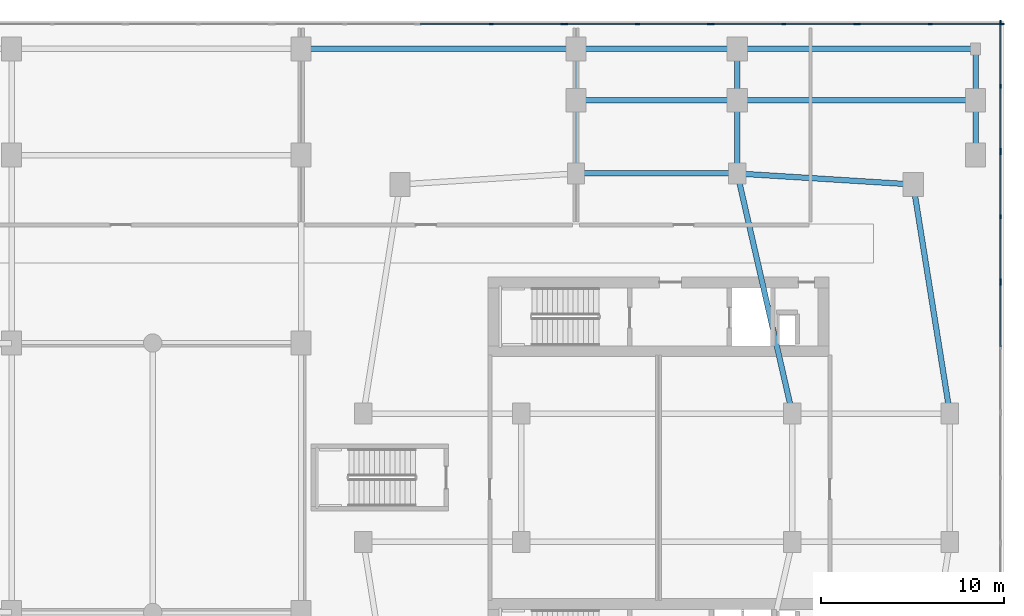
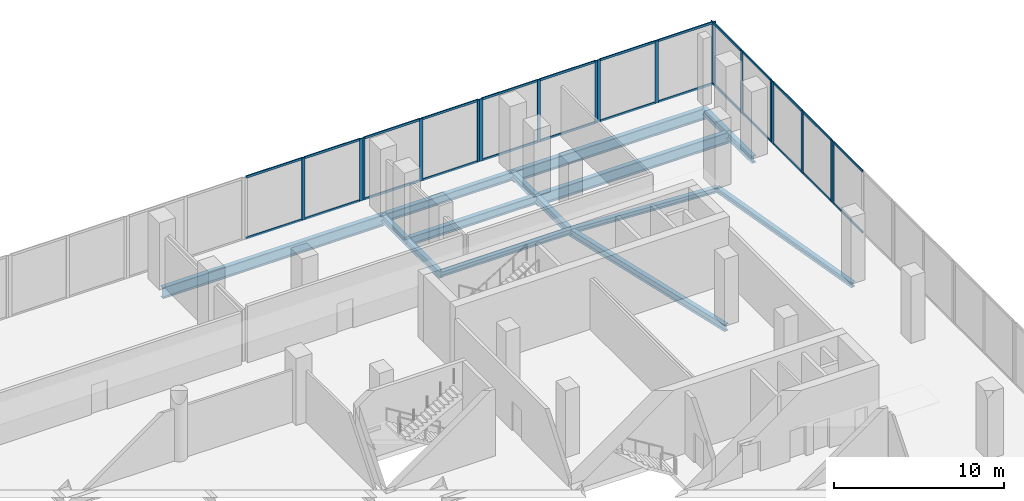
# One storey, part 10 of 23: 44 members, 15 beams, 7 elements without a shape of their own.
"""IFC4 building model written with IfcOpenShell, lengths in metres."""

from ifc_helpers import new_model, si_unit, derived_unit, direction, frame, origin, origin_2d, place, context, subcontext, project, spatial, rectangle, i_section, extrude, material, layer, layer_set, material_profile, profile_set, type_object, element, aggregate, save


model = new_model("IFC4")

# Units and contexts
model_context = context("Model", 3, precision=1e-05, world=origin(), true_north=direction((0.0, 1.0)))
body_context = subcontext(model_context, "Body", "Model", "MODEL_VIEW")
ifc_project = project(units=[si_unit("LENGTHUNIT", "METRE"), si_unit("AREAUNIT", "SQUARE_METRE"), si_unit("VOLUMEUNIT", "CUBIC_METRE"), si_unit("PLANEANGLEUNIT", "RADIAN"), si_unit("MASSUNIT", "GRAM", prefix="KILO"), derived_unit("THERMALTRANSMITTANCEUNIT", [(si_unit("POWERUNIT", "WATT"), 1), (si_unit("LENGTHUNIT", "METRE"), -2), (si_unit("THERMODYNAMICTEMPERATUREUNIT", "KELVIN"), -1)])], contexts=[model_context])

# Site, building, storey
site_placement = place(None, origin())
site = spatial("IfcSite", under=ifc_project, at=site_placement, CompositionType="ELEMENT")
building_placement = place(site_placement, origin())
building = spatial("IfcBuilding", under=site, at=building_placement, Name="Kivonza Crest Hotel", CompositionType="ELEMENT")
storey_placement = place(building_placement, frame((0.0, 0.0, 5.39990234375)))
storey = spatial("IfcBuildingStorey", under=building, at=storey_placement, Name="L01", CompositionType="ELEMENT", Elevation=5.39990234375)

# Beams
ifc_material_1 = material(Name="Steel S355", Category="steel")
ifc_material_profile_1 = material_profile(ifc_material_1, i_section(OverallWidth=0.300048828125, OverallDepth=0.360107421875, WebThickness=0.012451171875, FlangeThickness=0.0224609375, FilletRadius=0.027099609375, at=origin_2d()), Name="HEB 360")
ifc_profile_set_1 = profile_set([ifc_material_profile_1], Name="Steel S355")
beam_type_1 = type_object("IfcBeamType", Name="BM-HEB360", PredefinedType="SPANDREL", material=ifc_profile_set_1)
beam_1_placement = place(storey_placement, frame((93.0, 28.5, -0.52978515625), z_axis=(-0.157990501107, 0.987440631917, 0.0), x_axis=(-0.987440631917, -0.157990501107, 0.0)))
element("IfcBeam", 1, at=beam_1_placement, inside=storey, type_object=beam_type_1, Name="Companion Tower T2 L01 perimeter spandrel E2-NE", PredefinedType="SPANDREL", context=body_context, shape_type="SweptSolid", body=[
    extrude(i_section(OverallWidth=0.300048828125, OverallDepth=0.360107421875, WebThickness=0.012451171875, FlangeThickness=0.0224609375, FilletRadius=0.027099609375, at=origin_2d()), origin(), (0.0, 0.0, 1.0), 12.658935546875),
])
beam_2_placement = place(storey_placement, frame((91.0, 41.0, -0.52978515625), z_axis=(-0.998051985873, 0.062387767186, 0.0), x_axis=(-0.062387767186, -0.998051985873, 0.0)))
element("IfcBeam", 2, at=beam_2_placement, inside=storey, type_object=beam_type_1, Name="Companion Tower T2 L01 perimeter spandrel NE-N2", PredefinedType="SPANDREL", context=body_context, shape_type="SweptSolid", body=[
    extrude(i_section(OverallWidth=0.300048828125, OverallDepth=0.360107421875, WebThickness=0.012451171875, FlangeThickness=0.0224609375, FilletRadius=0.027099609375, at=origin_2d()), origin(), (0.0, 0.0, 1.0), 9.618896484375),
])
beam_3_placement = place(storey_placement, frame((81.39990234375, 41.60009765625, -0.52978515625), z_axis=(-1.0, 0.0, 0.0), x_axis=(0.0, -1.0, 0.0)))
element("IfcBeam", 3, at=beam_3_placement, inside=storey, type_object=beam_type_1, Name="Companion Tower T2 L01 perimeter spandrel N2-N1", PredefinedType="SPANDREL", context=body_context, shape_type="SweptSolid", body=[
    extrude(i_section(OverallWidth=0.300048828125, OverallDepth=0.360107421875, WebThickness=0.012451171875, FlangeThickness=0.0224609375, FilletRadius=0.027099609375, at=origin_2d()), origin(), (0.0, 0.0, 1.0), 8.7998046875),
])
ifc_material_profile_2 = material_profile(ifc_material_1, i_section(OverallWidth=0.300048828125, OverallDepth=0.5, WebThickness=0.014404296875, FlangeThickness=0.028076171875, FilletRadius=0.027099609375, at=origin_2d()), Name="HEB 500")
ifc_profile_set_2 = profile_set([ifc_material_profile_2], Name="Steel S355")
beam_type_2 = type_object("IfcBeamType", Name="BM-HEB500", PredefinedType="BEAM", material=ifc_profile_set_2)
beam_4_placement = place(storey_placement, frame((84.39990234375, 28.5, -0.599853515625), z_axis=(-0.223227287589, 0.974766422317, 0.0), x_axis=(-0.974766422317, -0.223227287589, 0.0)))
element("IfcBeam", 4, at=beam_4_placement, inside=storey, type_object=beam_type_2, Name="Companion Tower T2 L01 girder WR2-N2", PredefinedType="BEAM", context=body_context, shape_type="SweptSolid", body=[
    extrude(i_section(OverallWidth=0.300048828125, OverallDepth=0.5, WebThickness=0.014404296875, FlangeThickness=0.028076171875, FilletRadius=0.027099609375, at=origin_2d()), origin(), (0.0, 0.0, 1.0), 13.439208984375),
])
beam_5_placement = place(storey_placement, frame((72.60009765625, 41.60009765625, -0.599853515625), z_axis=(0.0, 1.0, 0.0), x_axis=(-1.0, 0.0, 0.0)))
element("IfcBeam", 5, at=beam_5_placement, inside=storey, type_object=beam_type_2, Name="L01 podium girder Y 86", PredefinedType="BEAM", context=body_context, shape_type="SweptSolid", body=[
    extrude(i_section(OverallWidth=0.300048828125, OverallDepth=0.5, WebThickness=0.014404296875, FlangeThickness=0.028076171875, FilletRadius=0.027099609375, at=origin_2d()), origin(), (0.0, 0.0, 1.0), 4.0),
])
beam_6_placement = place(storey_placement, frame((72.60009765625, 45.60009765625, -0.599853515625), z_axis=(0.0, 1.0, 0.0), x_axis=(-1.0, 0.0, 0.0)))
element("IfcBeam", 6, at=beam_6_placement, inside=storey, type_object=beam_type_2, Name="L01 podium girder Y 87", PredefinedType="BEAM", context=body_context, shape_type="SweptSolid", body=[
    extrude(i_section(OverallWidth=0.300048828125, OverallDepth=0.5, WebThickness=0.014404296875, FlangeThickness=0.028076171875, FilletRadius=0.027099609375, at=origin_2d()), origin(), (0.0, 0.0, 1.0), 2.7998046875),
])
beam_7_placement = place(storey_placement, frame((81.39990234375, 41.60009765625, -0.599853515625), z_axis=(0.0, 1.0, 0.0), x_axis=(-1.0, 0.0, 0.0)))
element("IfcBeam", 7, at=beam_7_placement, inside=storey, type_object=beam_type_2, Name="L01 podium girder Y 90", PredefinedType="BEAM", context=body_context, shape_type="SweptSolid", body=[
    extrude(i_section(OverallWidth=0.300048828125, OverallDepth=0.5, WebThickness=0.014404296875, FlangeThickness=0.028076171875, FilletRadius=0.027099609375, at=origin_2d()), origin(), (0.0, 0.0, 1.0), 4.0),
])
beam_8_placement = place(storey_placement, frame((81.39990234375, 45.60009765625, -0.599853515625), z_axis=(0.0, 1.0, 0.0), x_axis=(-1.0, 0.0, 0.0)))
element("IfcBeam", 8, at=beam_8_placement, inside=storey, type_object=beam_type_2, Name="L01 podium girder Y 91", PredefinedType="BEAM", context=body_context, shape_type="SweptSolid", body=[
    extrude(i_section(OverallWidth=0.300048828125, OverallDepth=0.5, WebThickness=0.014404296875, FlangeThickness=0.028076171875, FilletRadius=0.027099609375, at=origin_2d()), origin(), (0.0, 0.0, 1.0), 2.7998046875),
])
beam_9_placement = place(storey_placement, frame((94.39990234375, 42.60009765625, -0.599853515625), z_axis=(0.0, 1.0, 0.0), x_axis=(-1.0, 0.0, 0.0)))
element("IfcBeam", 9, at=beam_9_placement, inside=storey, type_object=beam_type_2, Name="L01 podium girder Y 96", PredefinedType="BEAM", context=body_context, shape_type="SweptSolid", body=[
    extrude(i_section(OverallWidth=0.300048828125, OverallDepth=0.5, WebThickness=0.014404296875, FlangeThickness=0.028076171875, FilletRadius=0.027099609375, at=origin_2d()), origin(), (0.0, 0.0, 1.0), 3.0),
])
beam_10_placement = place(storey_placement, frame((94.39990234375, 45.60009765625, -0.599853515625), z_axis=(0.0, 1.0, 0.0), x_axis=(-1.0, 0.0, 0.0)))
element("IfcBeam", 10, at=beam_10_placement, inside=storey, type_object=beam_type_2, Name="L01 podium girder Y 97", PredefinedType="BEAM", context=body_context, shape_type="SweptSolid", body=[
    extrude(i_section(OverallWidth=0.300048828125, OverallDepth=0.5, WebThickness=0.014404296875, FlangeThickness=0.028076171875, FilletRadius=0.027099609375, at=origin_2d()), origin(), (0.0, 0.0, 1.0), 2.7998046875),
])
ifc_material_profile_3 = material_profile(ifc_material_1, i_section(OverallWidth=0.300048828125, OverallDepth=0.60009765625, WebThickness=0.015380859375, FlangeThickness=0.030029296875, FilletRadius=0.027099609375, at=origin_2d()), Name="HEB 600")
ifc_profile_set_3 = profile_set([ifc_material_profile_3], Name="Steel S355")
beam_type_3 = type_object("IfcBeamType", Name="BM-HEB600", PredefinedType="BEAM", material=ifc_profile_set_3)
for number, where, z_axis, x_axis, name in (
    (11, (72.60009765625, 45.60009765625, -0.64990234375), (1.0, 0.0, 0.0), (0.0, 1.0, 0.0), "L01 podium girder X 40"),
    (12, (72.60009765625, 48.39990234375, -0.64990234375), (1.0, 0.0, 0.0), (0.0, 1.0, 0.0), "L01 podium girder X 47"),
):
    element("IfcBeam", number, at=place(storey_placement, frame(where, z_axis=z_axis, x_axis=x_axis)), inside=storey, type_object=beam_type_3, Name=name, PredefinedType="BEAM", context=body_context, shape_type="SweptSolid", body=[
        extrude(i_section(OverallWidth=0.300048828125, OverallDepth=0.60009765625, WebThickness=0.015380859375, FlangeThickness=0.030029296875, FilletRadius=0.027099609375, at=origin_2d()), origin(), (0.0, 0.0, 1.0), 8.7998046875),
    ])
ifc_material_profile_4 = material_profile(ifc_material_1, i_section(OverallWidth=0.300048828125, OverallDepth=0.800048828125, WebThickness=0.017578125, FlangeThickness=0.032958984375, FilletRadius=0.030029296875, at=origin_2d()), Name="HEB 800")
ifc_profile_set_4 = profile_set([ifc_material_profile_4], Name="Steel S355")
beam_type_4 = type_object("IfcBeamType", Name="BM-HEB800", PredefinedType="BEAM", material=ifc_profile_set_4)
beam_11_placement = place(storey_placement, frame((81.39990234375, 45.60009765625, -0.75), z_axis=(1.0, 0.0, 0.0), x_axis=(0.0, 1.0, 0.0)))
element("IfcBeam", 13, at=beam_11_placement, inside=storey, type_object=beam_type_4, Name="L01 podium girder X 41", PredefinedType="BEAM", context=body_context, shape_type="SweptSolid", body=[
    extrude(i_section(OverallWidth=0.300048828125, OverallDepth=0.800048828125, WebThickness=0.017578125, FlangeThickness=0.032958984375, FilletRadius=0.030029296875, at=origin_2d()), origin(), (0.0, 0.0, 1.0), 13.0),
])
beam_12_placement = place(storey_placement, frame((57.60009765625, 48.39990234375, -0.75), z_axis=(1.0, 0.0, 0.0), x_axis=(0.0, 1.0, 0.0)))
element("IfcBeam", 14, at=beam_12_placement, inside=storey, type_object=beam_type_4, Name="L01 podium girder X 46", PredefinedType="BEAM", context=body_context, shape_type="SweptSolid", body=[
    extrude(i_section(OverallWidth=0.300048828125, OverallDepth=0.800048828125, WebThickness=0.017578125, FlangeThickness=0.032958984375, FilletRadius=0.030029296875, at=origin_2d()), origin(), (0.0, 0.0, 1.0), 15.0),
])
beam_13_placement = place(storey_placement, frame((81.39990234375, 48.39990234375, -0.75), z_axis=(1.0, 0.0, 0.0), x_axis=(0.0, 1.0, 0.0)))
element("IfcBeam", 15, at=beam_13_placement, inside=storey, type_object=beam_type_4, Name="L01 podium girder X 48", PredefinedType="BEAM", context=body_context, shape_type="SweptSolid", body=[
    extrude(i_section(OverallWidth=0.300048828125, OverallDepth=0.800048828125, WebThickness=0.017578125, FlangeThickness=0.032958984375, FilletRadius=0.030029296875, at=origin_2d()), origin(), (0.0, 0.0, 1.0), 13.0),
])

# Curtain wall, member
ifc_material_2 = material(Name="Anodised bronze aluminium and low-E double glazing", Category="aluminium")
ifc_layer = layer(ifc_material_2, 0.219970703125)
ifc_layer_set = layer_set([ifc_layer], Name="Anodised bronze aluminium and low-E double glazing")
curtain_wall_type = type_object("IfcCurtainWallType", Name="CW-SYS-1", PredefinedType="NOTDEFINED", material=ifc_layer_set)
curtain_wall_1_placement = place(storey_placement, origin())
curtain_wall_1 = element("IfcCurtainWall", 16, at=curtain_wall_1_placement, inside=storey, type_object=curtain_wall_type, Name="L01 unitised curtain wall CW-POD-L01-17", PredefinedType="NOTDEFINED")
ifc_material_3 = material(Name="Anodised bronze aluminium", Category="aluminium")
ifc_material_profile_5 = material_profile(ifc_material_3, rectangle(XDim=0.074951171875, YDim=0.219970703125, at=origin_2d()), Name="CW-M 75x220")
ifc_profile_set_5 = profile_set([ifc_material_profile_5], Name="Anodised bronze aluminium")
member_type_1 = type_object("IfcMemberType", Name="CW-MUL-75x220", PredefinedType="MULLION", material=ifc_profile_set_5)
member_1_placement = place(storey_placement, frame((95.760009765625, 35.6025390625, 0.0), z_axis=(0.0, 0.0, 1.0), x_axis=(-1.0, 0.0, 0.0)))
member_1 = element("IfcMember", 17, at=member_1_placement, type_object=member_type_1, Name="CW-1 mullion 3", PredefinedType="MULLION", context=body_context, shape_type="SweptSolid", body=[
    extrude(rectangle(XDim=0.074951171875, YDim=0.219970703125, at=origin_2d()), origin(), (0.0, 0.0, 1.0), 4.4501953125),
])

# Curtain wall, members
curtain_wall_2_placement = place(storey_placement, origin())
curtain_wall_2 = element("IfcCurtainWall", 18, at=curtain_wall_2_placement, inside=storey, type_object=curtain_wall_type, Name="L01 unitised curtain wall CW-POD-L01-18", PredefinedType="NOTDEFINED")
member_2_placement = place(storey_placement, frame((95.760009765625, 35.757568359375, 0.0), z_axis=(0.0, 0.0, 1.0), x_axis=(-1.0, 0.0, 0.0)))
member_2 = element("IfcMember", 19, at=member_2_placement, type_object=member_type_1, Name="CW-1 mullion 1", PredefinedType="MULLION", context=body_context, shape_type="SweptSolid", body=[
    extrude(rectangle(XDim=0.074951171875, YDim=0.219970703125, at=origin_2d()), origin(), (0.0, 0.0, 1.0), 4.4501953125),
])
member_3_placement = place(storey_placement, frame((95.760009765625, 39.239990234375, 0.0), z_axis=(0.0, 0.0, 1.0), x_axis=(-1.0, 0.0, 0.0)))
member_3 = element("IfcMember", 20, at=member_3_placement, type_object=member_type_1, Name="CW-1 mullion 2", PredefinedType="MULLION", context=body_context, shape_type="SweptSolid", body=[
    extrude(rectangle(XDim=0.074951171875, YDim=0.219970703125, at=origin_2d()), origin(), (0.0, 0.0, 1.0), 4.4501953125),
])
member_4_placement = place(storey_placement, frame((95.760009765625, 42.722412109375, 0.0), z_axis=(0.0, 0.0, 1.0), x_axis=(-1.0, 0.0, 0.0)))
member_4 = element("IfcMember", 21, at=member_4_placement, type_object=member_type_1, Name="CW-1 mullion 3", PredefinedType="MULLION", context=body_context, shape_type="SweptSolid", body=[
    extrude(rectangle(XDim=0.074951171875, YDim=0.219970703125, at=origin_2d()), origin(), (0.0, 0.0, 1.0), 4.4501953125),
])

curtain_wall_3_placement = place(storey_placement, origin())
curtain_wall_3 = element("IfcCurtainWall", 22, at=curtain_wall_3_placement, inside=storey, type_object=curtain_wall_type, Name="L01 unitised curtain wall CW-POD-L01-19", PredefinedType="NOTDEFINED")
member_5_placement = place(storey_placement, frame((95.760009765625, 42.87744140625, 0.0), z_axis=(0.0, 0.0, 1.0), x_axis=(-1.0, 0.0, 0.0)))
member_5 = element("IfcMember", 23, at=member_5_placement, type_object=member_type_1, Name="CW-1 mullion 1", PredefinedType="MULLION", context=body_context, shape_type="SweptSolid", body=[
    extrude(rectangle(XDim=0.074951171875, YDim=0.219970703125, at=origin_2d()), origin(), (0.0, 0.0, 1.0), 4.4501953125),
])
member_6_placement = place(storey_placement, frame((95.760009765625, 46.360107421875, 0.0), z_axis=(0.0, 0.0, 1.0), x_axis=(-1.0, 0.0, 0.0)))
member_6 = element("IfcMember", 24, at=member_6_placement, type_object=member_type_1, Name="CW-1 mullion 2", PredefinedType="MULLION", context=body_context, shape_type="SweptSolid", body=[
    extrude(rectangle(XDim=0.074951171875, YDim=0.219970703125, at=origin_2d()), origin(), (0.0, 0.0, 1.0), 4.4501953125),
])
member_7_placement = place(storey_placement, frame((95.760009765625, 49.842529296875, 0.0), z_axis=(0.0, 0.0, 1.0), x_axis=(-1.0, 0.0, 0.0)))
member_7 = element("IfcMember", 25, at=member_7_placement, type_object=member_type_1, Name="CW-1 mullion 3", PredefinedType="MULLION", context=body_context, shape_type="SweptSolid", body=[
    extrude(rectangle(XDim=0.074951171875, YDim=0.219970703125, at=origin_2d()), origin(), (0.0, 0.0, 1.0), 4.4501953125),
])

curtain_wall_4_placement = place(storey_placement, origin())
curtain_wall_4 = element("IfcCurtainWall", 26, at=curtain_wall_4_placement, inside=storey, type_object=curtain_wall_type, Name="L01 unitised curtain wall CW-POD-L01-20", PredefinedType="NOTDEFINED")
member_8_placement = place(storey_placement, frame((95.842529296875, 49.760009765625, 0.0), z_axis=(0.0, 0.0, 1.0), x_axis=(0.0, -1.0, 0.0)))
member_8 = element("IfcMember", 27, at=member_8_placement, type_object=member_type_1, Name="CW-1 mullion 1", PredefinedType="MULLION", context=body_context, shape_type="SweptSolid", body=[
    extrude(rectangle(XDim=0.074951171875, YDim=0.219970703125, at=origin_2d()), origin(), (0.0, 0.0, 1.0), 4.4501953125),
])
member_9_placement = place(storey_placement, frame((91.926513671875, 49.760009765625, 0.0), z_axis=(0.0, 0.0, 1.0), x_axis=(0.0, -1.0, 0.0)))
member_9 = element("IfcMember", 28, at=member_9_placement, type_object=member_type_1, Name="CW-1 mullion 2", PredefinedType="MULLION", context=body_context, shape_type="SweptSolid", body=[
    extrude(rectangle(XDim=0.074951171875, YDim=0.219970703125, at=origin_2d()), origin(), (0.0, 0.0, 1.0), 4.4501953125),
])
member_10_placement = place(storey_placement, frame((88.010498046875, 49.760009765625, 0.0), z_axis=(0.0, 0.0, 1.0), x_axis=(0.0, -1.0, 0.0)))
member_10 = element("IfcMember", 29, at=member_10_placement, type_object=member_type_1, Name="CW-1 mullion 3", PredefinedType="MULLION", context=body_context, shape_type="SweptSolid", body=[
    extrude(rectangle(XDim=0.074951171875, YDim=0.219970703125, at=origin_2d()), origin(), (0.0, 0.0, 1.0), 4.4501953125),
])

curtain_wall_5_placement = place(storey_placement, origin())
curtain_wall_5 = element("IfcCurtainWall", 30, at=curtain_wall_5_placement, inside=storey, type_object=curtain_wall_type, Name="L01 unitised curtain wall CW-POD-L01-21", PredefinedType="NOTDEFINED")
member_11_placement = place(storey_placement, frame((87.85546875, 49.760009765625, 0.0), z_axis=(0.0, 0.0, 1.0), x_axis=(0.0, -1.0, 0.0)))
member_11 = element("IfcMember", 31, at=member_11_placement, type_object=member_type_1, Name="CW-1 mullion 1", PredefinedType="MULLION", context=body_context, shape_type="SweptSolid", body=[
    extrude(rectangle(XDim=0.074951171875, YDim=0.219970703125, at=origin_2d()), origin(), (0.0, 0.0, 1.0), 4.4501953125),
])
member_12_placement = place(storey_placement, frame((83.93994140625, 49.760009765625, 0.0), z_axis=(0.0, 0.0, 1.0), x_axis=(0.0, -1.0, 0.0)))
member_12 = element("IfcMember", 32, at=member_12_placement, type_object=member_type_1, Name="CW-1 mullion 2", PredefinedType="MULLION", context=body_context, shape_type="SweptSolid", body=[
    extrude(rectangle(XDim=0.074951171875, YDim=0.219970703125, at=origin_2d()), origin(), (0.0, 0.0, 1.0), 4.4501953125),
])
member_13_placement = place(storey_placement, frame((80.0244140625, 49.760009765625, 0.0), z_axis=(0.0, 0.0, 1.0), x_axis=(0.0, -1.0, 0.0)))
member_13 = element("IfcMember", 33, at=member_13_placement, type_object=member_type_1, Name="CW-1 mullion 3", PredefinedType="MULLION", context=body_context, shape_type="SweptSolid", body=[
    extrude(rectangle(XDim=0.074951171875, YDim=0.219970703125, at=origin_2d()), origin(), (0.0, 0.0, 1.0), 4.4501953125),
])

curtain_wall_6_placement = place(storey_placement, origin())
curtain_wall_6 = element("IfcCurtainWall", 34, at=curtain_wall_6_placement, inside=storey, type_object=curtain_wall_type, Name="L01 unitised curtain wall CW-POD-L01-22", PredefinedType="NOTDEFINED")
member_14_placement = place(storey_placement, frame((79.869384765625, 49.760009765625, 0.0), z_axis=(0.0, 0.0, 1.0), x_axis=(0.0, -1.0, 0.0)))
member_14 = element("IfcMember", 35, at=member_14_placement, type_object=member_type_1, Name="CW-1 mullion 1", PredefinedType="MULLION", context=body_context, shape_type="SweptSolid", body=[
    extrude(rectangle(XDim=0.074951171875, YDim=0.219970703125, at=origin_2d()), origin(), (0.0, 0.0, 1.0), 4.4501953125),
])
member_15_placement = place(storey_placement, frame((75.95361328125, 49.760009765625, 0.0), z_axis=(0.0, 0.0, 1.0), x_axis=(0.0, -1.0, 0.0)))
member_15 = element("IfcMember", 36, at=member_15_placement, type_object=member_type_1, Name="CW-1 mullion 2", PredefinedType="MULLION", context=body_context, shape_type="SweptSolid", body=[
    extrude(rectangle(XDim=0.074951171875, YDim=0.219970703125, at=origin_2d()), origin(), (0.0, 0.0, 1.0), 4.4501953125),
])
member_16_placement = place(storey_placement, frame((72.03759765625, 49.760009765625, 0.0), z_axis=(0.0, 0.0, 1.0), x_axis=(0.0, -1.0, 0.0)))
member_16 = element("IfcMember", 37, at=member_16_placement, type_object=member_type_1, Name="CW-1 mullion 3", PredefinedType="MULLION", context=body_context, shape_type="SweptSolid", body=[
    extrude(rectangle(XDim=0.074951171875, YDim=0.219970703125, at=origin_2d()), origin(), (0.0, 0.0, 1.0), 4.4501953125),
])

curtain_wall_7_placement = place(storey_placement, origin())
curtain_wall_7 = element("IfcCurtainWall", 38, at=curtain_wall_7_placement, inside=storey, type_object=curtain_wall_type, Name="L01 unitised curtain wall CW-POD-L01-23", PredefinedType="NOTDEFINED")
member_17_placement = place(storey_placement, frame((71.882568359375, 49.760009765625, 0.0), z_axis=(0.0, 0.0, 1.0), x_axis=(0.0, -1.0, 0.0)))
member_17 = element("IfcMember", 39, at=member_17_placement, type_object=member_type_1, Name="CW-1 mullion 1", PredefinedType="MULLION", context=body_context, shape_type="SweptSolid", body=[
    extrude(rectangle(XDim=0.074951171875, YDim=0.219970703125, at=origin_2d()), origin(), (0.0, 0.0, 1.0), 4.4501953125),
])
member_18_placement = place(storey_placement, frame((67.966552734375, 49.760009765625, 0.0), z_axis=(0.0, 0.0, 1.0), x_axis=(0.0, -1.0, 0.0)))
member_18 = element("IfcMember", 40, at=member_18_placement, type_object=member_type_1, Name="CW-1 mullion 2", PredefinedType="MULLION", context=body_context, shape_type="SweptSolid", body=[
    extrude(rectangle(XDim=0.074951171875, YDim=0.219970703125, at=origin_2d()), origin(), (0.0, 0.0, 1.0), 4.4501953125),
])

# Member
ifc_material_profile_6 = material_profile(ifc_material_3, rectangle(XDim=0.074951171875, YDim=0.159912109375, at=origin_2d()), Name="CW-T 75x160")
ifc_profile_set_6 = profile_set([ifc_material_profile_6], Name="Anodised bronze aluminium")
member_type_2 = type_object("IfcMemberType", Name="CW-TRN-75x160", PredefinedType="USERDEFINED", material=ifc_profile_set_6)
member_19_placement = place(storey_placement, frame((95.760009765625, 32.157470703125, 0.03759765625), z_axis=(0.0, 1.0, 0.0), x_axis=(-1.0, 0.0, 0.0)))
member_19 = element("IfcMember", 41, at=member_19_placement, type_object=member_type_2, Name="CW-1 transom 2.1", ObjectType="TRANSOM", PredefinedType="USERDEFINED", context=body_context, shape_type="SweptSolid", body=[
    extrude(rectangle(XDim=0.074951171875, YDim=0.159912109375, at=origin_2d()), origin(), (0.0, 0.0, 1.0), 3.407470703125),
])

member_20_placement = place(storey_placement, frame((95.760009765625, 32.157470703125, 4.41259765625), z_axis=(0.0, 1.0, 0.0), x_axis=(-1.0, 0.0, 0.0)))
member_20 = element("IfcMember", 42, at=member_20_placement, type_object=member_type_2, Name="CW-1 transom 2.2", ObjectType="TRANSOM", PredefinedType="USERDEFINED", context=body_context, shape_type="SweptSolid", body=[
    extrude(rectangle(XDim=0.074951171875, YDim=0.159912109375, at=origin_2d()), origin(), (0.0, 0.0, 1.0), 3.407470703125),
])

aggregate(curtain_wall_1, [member_1, member_19, member_20])

member_21_placement = place(storey_placement, frame((95.760009765625, 35.794921875, 0.03759765625), z_axis=(0.0, 1.0, 0.0), x_axis=(-1.0, 0.0, 0.0)))
member_21 = element("IfcMember", 43, at=member_21_placement, type_object=member_type_2, Name="CW-1 transom 1.1", ObjectType="TRANSOM", PredefinedType="USERDEFINED", context=body_context, shape_type="SweptSolid", body=[
    extrude(rectangle(XDim=0.074951171875, YDim=0.159912109375, at=origin_2d()), origin(), (0.0, 0.0, 1.0), 3.407470703125),
])

member_22_placement = place(storey_placement, frame((95.760009765625, 35.794921875, 4.41259765625), z_axis=(0.0, 1.0, 0.0), x_axis=(-1.0, 0.0, 0.0)))
member_22 = element("IfcMember", 44, at=member_22_placement, type_object=member_type_2, Name="CW-1 transom 1.2", ObjectType="TRANSOM", PredefinedType="USERDEFINED", context=body_context, shape_type="SweptSolid", body=[
    extrude(rectangle(XDim=0.074951171875, YDim=0.159912109375, at=origin_2d()), origin(), (0.0, 0.0, 1.0), 3.407470703125),
])

member_23_placement = place(storey_placement, frame((95.760009765625, 39.277587890625, 0.03759765625), z_axis=(0.0, 1.0, 0.0), x_axis=(-1.0, 0.0, 0.0)))
member_23 = element("IfcMember", 45, at=member_23_placement, type_object=member_type_2, Name="CW-1 transom 2.1", ObjectType="TRANSOM", PredefinedType="USERDEFINED", context=body_context, shape_type="SweptSolid", body=[
    extrude(rectangle(XDim=0.074951171875, YDim=0.159912109375, at=origin_2d()), origin(), (0.0, 0.0, 1.0), 3.407470703125),
])

member_24_placement = place(storey_placement, frame((95.760009765625, 39.277587890625, 4.41259765625), z_axis=(0.0, 1.0, 0.0), x_axis=(-1.0, 0.0, 0.0)))
member_24 = element("IfcMember", 46, at=member_24_placement, type_object=member_type_2, Name="CW-1 transom 2.2", ObjectType="TRANSOM", PredefinedType="USERDEFINED", context=body_context, shape_type="SweptSolid", body=[
    extrude(rectangle(XDim=0.074951171875, YDim=0.159912109375, at=origin_2d()), origin(), (0.0, 0.0, 1.0), 3.407470703125),
])

aggregate(curtain_wall_2, [member_2, member_3, member_4, member_21, member_22, member_23, member_24])

member_25_placement = place(storey_placement, frame((95.760009765625, 42.9150390625, 0.03759765625), z_axis=(0.0, 1.0, 0.0), x_axis=(-1.0, 0.0, 0.0)))
member_25 = element("IfcMember", 47, at=member_25_placement, type_object=member_type_2, Name="CW-1 transom 1.1", ObjectType="TRANSOM", PredefinedType="USERDEFINED", context=body_context, shape_type="SweptSolid", body=[
    extrude(rectangle(XDim=0.074951171875, YDim=0.159912109375, at=origin_2d()), origin(), (0.0, 0.0, 1.0), 3.407470703125),
])

member_26_placement = place(storey_placement, frame((95.760009765625, 42.9150390625, 4.41259765625), z_axis=(0.0, 1.0, 0.0), x_axis=(-1.0, 0.0, 0.0)))
member_26 = element("IfcMember", 48, at=member_26_placement, type_object=member_type_2, Name="CW-1 transom 1.2", ObjectType="TRANSOM", PredefinedType="USERDEFINED", context=body_context, shape_type="SweptSolid", body=[
    extrude(rectangle(XDim=0.074951171875, YDim=0.159912109375, at=origin_2d()), origin(), (0.0, 0.0, 1.0), 3.407470703125),
])

member_27_placement = place(storey_placement, frame((95.760009765625, 46.3974609375, 0.03759765625), z_axis=(0.0, 1.0, 0.0), x_axis=(-1.0, 0.0, 0.0)))
member_27 = element("IfcMember", 49, at=member_27_placement, type_object=member_type_2, Name="CW-1 transom 2.1", ObjectType="TRANSOM", PredefinedType="USERDEFINED", context=body_context, shape_type="SweptSolid", body=[
    extrude(rectangle(XDim=0.074951171875, YDim=0.159912109375, at=origin_2d()), origin(), (0.0, 0.0, 1.0), 3.407470703125),
])

member_28_placement = place(storey_placement, frame((95.760009765625, 46.3974609375, 4.41259765625), z_axis=(0.0, 1.0, 0.0), x_axis=(-1.0, 0.0, 0.0)))
member_28 = element("IfcMember", 50, at=member_28_placement, type_object=member_type_2, Name="CW-1 transom 2.2", ObjectType="TRANSOM", PredefinedType="USERDEFINED", context=body_context, shape_type="SweptSolid", body=[
    extrude(rectangle(XDim=0.074951171875, YDim=0.159912109375, at=origin_2d()), origin(), (0.0, 0.0, 1.0), 3.407470703125),
])

aggregate(curtain_wall_3, [member_5, member_6, member_7, member_25, member_26, member_27, member_28])

member_29_placement = place(storey_placement, frame((95.804931640625, 49.760009765625, 0.03759765625), z_axis=(-1.0, 0.0, 0.0), x_axis=(0.0, -1.0, 0.0)))
member_29 = element("IfcMember", 51, at=member_29_placement, type_object=member_type_2, Name="CW-1 transom 1.1", ObjectType="TRANSOM", PredefinedType="USERDEFINED", context=body_context, shape_type="SweptSolid", body=[
    extrude(rectangle(XDim=0.074951171875, YDim=0.159912109375, at=origin_2d()), origin(), (0.0, 0.0, 1.0), 3.8408203125),
])

member_30_placement = place(storey_placement, frame((95.804931640625, 49.760009765625, 4.41259765625), z_axis=(-1.0, 0.0, 0.0), x_axis=(0.0, -1.0, 0.0)))
member_30 = element("IfcMember", 52, at=member_30_placement, type_object=member_type_2, Name="CW-1 transom 1.2", ObjectType="TRANSOM", PredefinedType="USERDEFINED", context=body_context, shape_type="SweptSolid", body=[
    extrude(rectangle(XDim=0.074951171875, YDim=0.159912109375, at=origin_2d()), origin(), (0.0, 0.0, 1.0), 3.8408203125),
])

member_31_placement = place(storey_placement, frame((91.888916015625, 49.760009765625, 0.03759765625), z_axis=(-1.0, 0.0, 0.0), x_axis=(0.0, -1.0, 0.0)))
member_31 = element("IfcMember", 53, at=member_31_placement, type_object=member_type_2, Name="CW-1 transom 2.1", ObjectType="TRANSOM", PredefinedType="USERDEFINED", context=body_context, shape_type="SweptSolid", body=[
    extrude(rectangle(XDim=0.074951171875, YDim=0.159912109375, at=origin_2d()), origin(), (0.0, 0.0, 1.0), 3.8408203125),
])

member_32_placement = place(storey_placement, frame((91.888916015625, 49.760009765625, 4.41259765625), z_axis=(-1.0, 0.0, 0.0), x_axis=(0.0, -1.0, 0.0)))
member_32 = element("IfcMember", 54, at=member_32_placement, type_object=member_type_2, Name="CW-1 transom 2.2", ObjectType="TRANSOM", PredefinedType="USERDEFINED", context=body_context, shape_type="SweptSolid", body=[
    extrude(rectangle(XDim=0.074951171875, YDim=0.159912109375, at=origin_2d()), origin(), (0.0, 0.0, 1.0), 3.8408203125),
])

aggregate(curtain_wall_4, [member_8, member_9, member_10, member_29, member_30, member_31, member_32])

member_33_placement = place(storey_placement, frame((87.818115234375, 49.760009765625, 0.03759765625), z_axis=(-1.0, 0.0, 0.0), x_axis=(0.0, -1.0, 0.0)))
member_33 = element("IfcMember", 55, at=member_33_placement, type_object=member_type_2, Name="CW-1 transom 1.1", ObjectType="TRANSOM", PredefinedType="USERDEFINED", context=body_context, shape_type="SweptSolid", body=[
    extrude(rectangle(XDim=0.074951171875, YDim=0.159912109375, at=origin_2d()), origin(), (0.0, 0.0, 1.0), 3.840576171875),
])

member_34_placement = place(storey_placement, frame((87.818115234375, 49.760009765625, 4.41259765625), z_axis=(-1.0, 0.0, 0.0), x_axis=(0.0, -1.0, 0.0)))
member_34 = element("IfcMember", 56, at=member_34_placement, type_object=member_type_2, Name="CW-1 transom 1.2", ObjectType="TRANSOM", PredefinedType="USERDEFINED", context=body_context, shape_type="SweptSolid", body=[
    extrude(rectangle(XDim=0.074951171875, YDim=0.159912109375, at=origin_2d()), origin(), (0.0, 0.0, 1.0), 3.840576171875),
])

member_35_placement = place(storey_placement, frame((83.902587890625, 49.760009765625, 0.03759765625), z_axis=(-1.0, 0.0, 0.0), x_axis=(0.0, -1.0, 0.0)))
member_35 = element("IfcMember", 57, at=member_35_placement, type_object=member_type_2, Name="CW-1 transom 2.1", ObjectType="TRANSOM", PredefinedType="USERDEFINED", context=body_context, shape_type="SweptSolid", body=[
    extrude(rectangle(XDim=0.074951171875, YDim=0.159912109375, at=origin_2d()), origin(), (0.0, 0.0, 1.0), 3.840576171875),
])

member_36_placement = place(storey_placement, frame((83.902587890625, 49.760009765625, 4.41259765625), z_axis=(-1.0, 0.0, 0.0), x_axis=(0.0, -1.0, 0.0)))
member_36 = element("IfcMember", 58, at=member_36_placement, type_object=member_type_2, Name="CW-1 transom 2.2", ObjectType="TRANSOM", PredefinedType="USERDEFINED", context=body_context, shape_type="SweptSolid", body=[
    extrude(rectangle(XDim=0.074951171875, YDim=0.159912109375, at=origin_2d()), origin(), (0.0, 0.0, 1.0), 3.840576171875),
])

aggregate(curtain_wall_5, [member_11, member_12, member_13, member_33, member_34, member_35, member_36])

member_37_placement = place(storey_placement, frame((79.83203125, 49.760009765625, 0.03759765625), z_axis=(-1.0, 0.0, 0.0), x_axis=(0.0, -1.0, 0.0)))
member_37 = element("IfcMember", 59, at=member_37_placement, type_object=member_type_2, Name="CW-1 transom 1.1", ObjectType="TRANSOM", PredefinedType="USERDEFINED", context=body_context, shape_type="SweptSolid", body=[
    extrude(rectangle(XDim=0.074951171875, YDim=0.159912109375, at=origin_2d()), origin(), (0.0, 0.0, 1.0), 3.841064453125),
])

member_38_placement = place(storey_placement, frame((79.83203125, 49.760009765625, 4.41259765625), z_axis=(-1.0, 0.0, 0.0), x_axis=(0.0, -1.0, 0.0)))
member_38 = element("IfcMember", 60, at=member_38_placement, type_object=member_type_2, Name="CW-1 transom 1.2", ObjectType="TRANSOM", PredefinedType="USERDEFINED", context=body_context, shape_type="SweptSolid", body=[
    extrude(rectangle(XDim=0.074951171875, YDim=0.159912109375, at=origin_2d()), origin(), (0.0, 0.0, 1.0), 3.841064453125),
])

member_39_placement = place(storey_placement, frame((75.916015625, 49.760009765625, 0.03759765625), z_axis=(-1.0, 0.0, 0.0), x_axis=(0.0, -1.0, 0.0)))
member_39 = element("IfcMember", 61, at=member_39_placement, type_object=member_type_2, Name="CW-1 transom 2.1", ObjectType="TRANSOM", PredefinedType="USERDEFINED", context=body_context, shape_type="SweptSolid", body=[
    extrude(rectangle(XDim=0.074951171875, YDim=0.159912109375, at=origin_2d()), origin(), (0.0, 0.0, 1.0), 3.841064453125),
])

member_40_placement = place(storey_placement, frame((75.916015625, 49.760009765625, 4.41259765625), z_axis=(-1.0, 0.0, 0.0), x_axis=(0.0, -1.0, 0.0)))
member_40 = element("IfcMember", 62, at=member_40_placement, type_object=member_type_2, Name="CW-1 transom 2.2", ObjectType="TRANSOM", PredefinedType="USERDEFINED", context=body_context, shape_type="SweptSolid", body=[
    extrude(rectangle(XDim=0.074951171875, YDim=0.159912109375, at=origin_2d()), origin(), (0.0, 0.0, 1.0), 3.841064453125),
])

aggregate(curtain_wall_6, [member_14, member_15, member_16, member_37, member_38, member_39, member_40])

member_41_placement = place(storey_placement, frame((71.844970703125, 49.760009765625, 0.03759765625), z_axis=(-1.0, 0.0, 0.0), x_axis=(0.0, -1.0, 0.0)))
member_41 = element("IfcMember", 63, at=member_41_placement, type_object=member_type_2, Name="CW-1 transom 1.1", ObjectType="TRANSOM", PredefinedType="USERDEFINED", context=body_context, shape_type="SweptSolid", body=[
    extrude(rectangle(XDim=0.074951171875, YDim=0.159912109375, at=origin_2d()), origin(), (0.0, 0.0, 1.0), 3.841064453125),
])

member_42_placement = place(storey_placement, frame((71.844970703125, 49.760009765625, 4.41259765625), z_axis=(-1.0, 0.0, 0.0), x_axis=(0.0, -1.0, 0.0)))
member_42 = element("IfcMember", 64, at=member_42_placement, type_object=member_type_2, Name="CW-1 transom 1.2", ObjectType="TRANSOM", PredefinedType="USERDEFINED", context=body_context, shape_type="SweptSolid", body=[
    extrude(rectangle(XDim=0.074951171875, YDim=0.159912109375, at=origin_2d()), origin(), (0.0, 0.0, 1.0), 3.841064453125),
])

member_43_placement = place(storey_placement, frame((67.928955078125, 49.760009765625, 0.03759765625), z_axis=(-1.0, 0.0, 0.0), x_axis=(0.0, -1.0, 0.0)))
member_43 = element("IfcMember", 65, at=member_43_placement, type_object=member_type_2, Name="CW-1 transom 2.1", ObjectType="TRANSOM", PredefinedType="USERDEFINED", context=body_context, shape_type="SweptSolid", body=[
    extrude(rectangle(XDim=0.074951171875, YDim=0.159912109375, at=origin_2d()), origin(), (0.0, 0.0, 1.0), 3.841064453125),
])

member_44_placement = place(storey_placement, frame((67.928955078125, 49.760009765625, 4.41259765625), z_axis=(-1.0, 0.0, 0.0), x_axis=(0.0, -1.0, 0.0)))
member_44 = element("IfcMember", 66, at=member_44_placement, type_object=member_type_2, Name="CW-1 transom 2.2", ObjectType="TRANSOM", PredefinedType="USERDEFINED", context=body_context, shape_type="SweptSolid", body=[
    extrude(rectangle(XDim=0.074951171875, YDim=0.159912109375, at=origin_2d()), origin(), (0.0, 0.0, 1.0), 3.841064453125),
])

aggregate(curtain_wall_7, [member_17, member_18, member_41, member_42, member_43, member_44])

save(model, "model.ifc")
